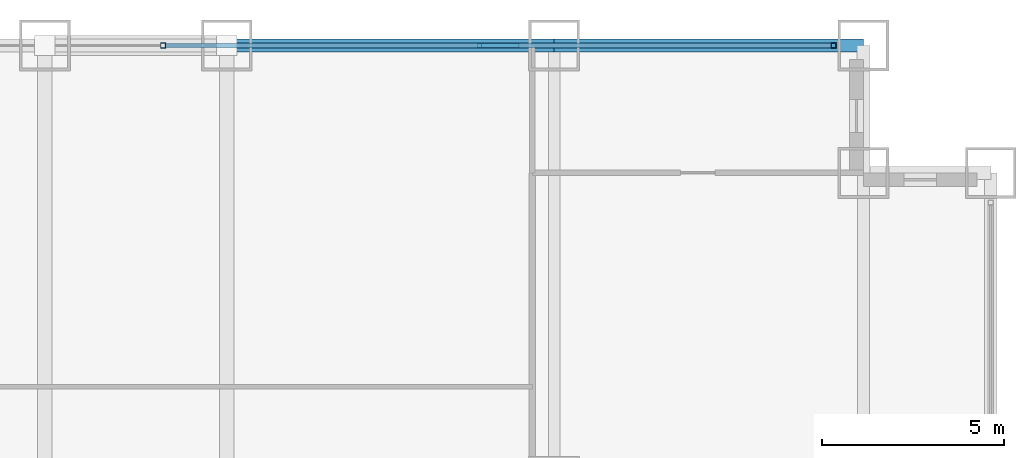
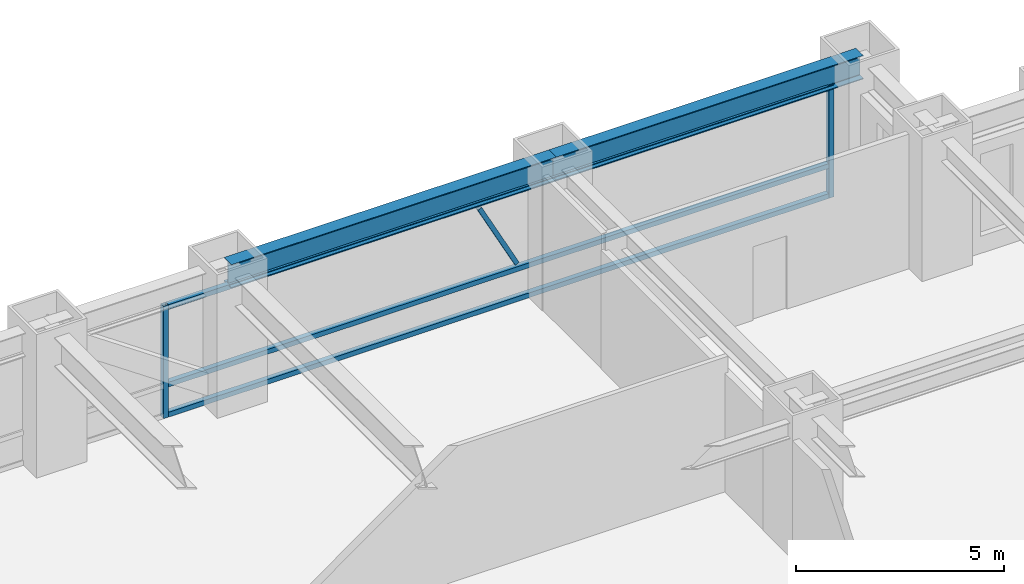
# One storey, part 21 of 27: 6 members, 2 beams, 1 element without a shape of its own.
"""IFC4 building model written with IfcOpenShell, lengths in metres."""

from ifc_helpers import new_model, si_unit, direction, frame, origin, origin_2d, place, context, subcontext, project, spatial, hollow_rectangle, i_section, extrude, source, transform, mapped, material, material_profile, profile_set, type_object, element, aggregate, save


model = new_model("IFC4")

# Units and contexts
model_context = context("Model", 3, precision=1e-05, world=origin(), true_north=direction((0.0, 1.0)))
body_context = subcontext(model_context, "Body", "Model", "MODEL_VIEW")
ifc_project = project(units=[si_unit("LENGTHUNIT", "METRE"), si_unit("AREAUNIT", "SQUARE_METRE"), si_unit("VOLUMEUNIT", "CUBIC_METRE"), si_unit("PLANEANGLEUNIT", "RADIAN"), si_unit("MASSUNIT", "GRAM", prefix="KILO")], contexts=[model_context])

# Site, building, storey
site_placement = place(None, origin())
site = spatial("IfcSite", under=ifc_project, at=site_placement, CompositionType="ELEMENT")
building_placement = place(site_placement, origin())
building = spatial("IfcBuilding", under=site, at=building_placement, Name="Khorayat Bourse Tower", CompositionType="ELEMENT")
storey_placement = place(building_placement, frame((0.0, 0.0, 45.199951171875)))
storey = spatial("IfcBuildingStorey", under=building, at=storey_placement, Name="L09", CompositionType="ELEMENT", Elevation=45.199951171875)

# Beams
ifc_material_1 = material(Name="Steel ASTM A992 Grade 50", Category="steel")
ifc_material_profile_1 = material_profile(ifc_material_1, i_section(OverallWidth=0.35498046875, OverallDepth=0.695068359375, WebThickness=0.015380859375, FlangeThickness=0.02490234375, FilletRadius=0.01806640625, at=origin_2d()), Name="W690X217")
ifc_profile_set_1 = profile_set([ifc_material_profile_1], Name="Steel ASTM A992 Grade 50")
beam_type = type_object("IfcBeamType", Name="BM-SPAN-690", PredefinedType="SPANDREL", material=ifc_profile_set_1)
shared_shape_1 = source(origin(), body_context, "Body", "SweptSolid", [
    extrude(i_section(OverallWidth=0.35498046875, OverallDepth=0.695068359375, WebThickness=0.015380859375, FlangeThickness=0.02490234375, FilletRadius=0.01806640625, at=origin_2d()), origin(), (0.0, 0.0, 1.0), 8.5),
])
beam_1_placement = place(storey_placement, frame((20.0, 32.0, 3.592529296875), z_axis=(1.0, 0.0, 0.0), x_axis=(0.0, 1.0, 0.0)))
element("IfcBeam", 1, at=beam_1_placement, inside=storey, type_object=beam_type, Name="L09 BM-SPAN-690 BM-L09-SPN-044", PredefinedType="SPANDREL", context=body_context, shape_type="MappedRepresentation", body=[
    mapped(shared_shape_1, transform((0.0, 0.0, 0.0), scale=1.0)),
])
shared_shape_2 = source(origin(), body_context, "Body", "SweptSolid", [
    extrude(i_section(OverallWidth=0.35498046875, OverallDepth=0.695068359375, WebThickness=0.015380859375, FlangeThickness=0.02490234375, FilletRadius=0.01806640625, at=origin_2d()), origin(), (0.0, 0.0, 1.0), 9.0),
])
beam_2_placement = place(storey_placement, frame((11.0, 32.0, 3.592529296875), z_axis=(1.0, 0.0, 0.0), x_axis=(0.0, 1.0, 0.0)))
element("IfcBeam", 2, at=beam_2_placement, inside=storey, type_object=beam_type, Name="L09 BM-SPAN-690 BM-L09-SPN-045", PredefinedType="SPANDREL", context=body_context, shape_type="MappedRepresentation", body=[
    mapped(shared_shape_2, transform((0.0, 0.0, 0.0), scale=1.0)),
])

# Curtain wall, members
ifc_material_2 = material(Name="Aluminium EN AW-6063 T6", Category="aluminium")
curtain_wall_type = type_object("IfcCurtainWallType", Name="CW-SYS-02", PredefinedType="NOTDEFINED", material=ifc_material_2)
curtain_wall_placement = place(storey_placement, origin())
curtain_wall = element("IfcCurtainWall", 3, at=curtain_wall_placement, inside=storey, type_object=curtain_wall_type, Name="L09 Curtain Wall CW-L09-N1", PredefinedType="NOTDEFINED")
ifc_material_profile_2 = material_profile(ifc_material_2, hollow_rectangle(XDim=0.139892578125, YDim=0.139892578125, WallThickness=0.006103515625, at=origin_2d()), Name="ALU 140x140x6")
ifc_profile_set_2 = profile_set([ifc_material_profile_2], Name="Aluminium EN AW-6063 T6")
member_type_1 = type_object("IfcMemberType", Name="CWT-HORZ-140", PredefinedType="USERDEFINED", material=ifc_profile_set_2)
shared_shape_3 = source(origin(), body_context, "Body", "SweptSolid", [
    extrude(hollow_rectangle(XDim=0.139892578125, YDim=0.139892578125, WallThickness=0.006103515625, at=origin_2d()), origin(), (0.0, 0.0, 1.0), 18.2900390625),
])
member_1_placement = place(storey_placement, frame((9.320068359375, 32.0, 0.070068359375), z_axis=(1.0, 0.0, 0.0), x_axis=(0.0, 1.0, 0.0)))
member_1 = element("IfcMember", 4, at=member_1_placement, type_object=member_type_1, Name="CW-L09-N1 Horizontal Transom 3-1", ObjectType="TRANSOM", PredefinedType="USERDEFINED", context=body_context, shape_type="MappedRepresentation", body=[
    mapped(shared_shape_3, transform((0.0, 0.0, 0.0), scale=1.0)),
])
member_2_placement = place(storey_placement, frame((9.320068359375, 32.0, 0.949951171875), z_axis=(1.0, 0.0, 0.0), x_axis=(0.0, 1.0, 0.0)))
member_2 = element("IfcMember", 5, at=member_2_placement, type_object=member_type_1, Name="CW-L09-N1 Horizontal Transom 3-2", ObjectType="TRANSOM", PredefinedType="USERDEFINED", context=body_context, shape_type="MappedRepresentation", body=[
    mapped(shared_shape_3, transform((0.0, 0.0, 0.0), scale=1.0)),
])
member_3_placement = place(storey_placement, frame((9.320068359375, 32.0, 3.219970703125), z_axis=(1.0, 0.0, 0.0), x_axis=(0.0, 1.0, 0.0)))
member_3 = element("IfcMember", 6, at=member_3_placement, type_object=member_type_1, Name="CW-L09-N1 Horizontal Transom 3-3", ObjectType="TRANSOM", PredefinedType="USERDEFINED", context=body_context, shape_type="MappedRepresentation", body=[
    mapped(shared_shape_3, transform((0.0, 0.0, 0.0), scale=1.0)),
])
ifc_material_profile_3 = material_profile(ifc_material_2, hollow_rectangle(XDim=0.1201171875, YDim=0.1201171875, WallThickness=0.0048828125, at=origin_2d()), Name="ALU 120x120x5")
ifc_profile_set_3 = profile_set([ifc_material_profile_3], Name="Aluminium EN AW-6063 T6")
member_type_2 = type_object("IfcMemberType", Name="CWM-DIAG-120", PredefinedType="MULLION", material=ifc_profile_set_3)
shared_shape_4 = source(origin(), body_context, "Body", "SweptSolid", [
    extrude(hollow_rectangle(XDim=0.1201171875, YDim=0.1201171875, WallThickness=0.0048828125, at=origin_2d()), origin(), (0.0, 0.0, 1.0), 2.22607421875),
])
member_4_placement = place(storey_placement, frame((18.9833984375, 32.0, 1.10009765625), z_axis=(-0.465759992596, 0.0, 0.884911085532), x_axis=(0.0, -1.0, 0.0)))
member_4 = element("IfcMember", 7, at=member_4_placement, type_object=member_type_2, Name="CW-L09-N1 Faceted Diagonal Mullion 3", PredefinedType="MULLION", context=body_context, shape_type="MappedRepresentation", body=[
    mapped(shared_shape_4, transform((0.0, 0.0, 0.0), scale=1.0)),
])
ifc_material_profile_4 = material_profile(ifc_material_2, hollow_rectangle(XDim=0.139892578125, YDim=0.139892578125, WallThickness=0.006103515625, at=origin_2d()), Name="ALU 140x140x6")
ifc_profile_set_4 = profile_set([ifc_material_profile_4], Name="Aluminium EN AW-6063 T6")
member_type_3 = type_object("IfcMemberType", Name="CWM-VERT-140", PredefinedType="MULLION", material=ifc_profile_set_4)
shared_shape_5 = source(origin(), body_context, "Body", "SweptSolid", [
    extrude(hollow_rectangle(XDim=0.139892578125, YDim=0.139892578125, WallThickness=0.006103515625, at=origin_2d()), origin(), (0.0, 0.0, 1.0), 3.2900390625),
])
member_5_placement = place(storey_placement, frame((9.25, 32.0, 0.0), z_axis=(0.0, 0.0, 1.0), x_axis=(0.0, 1.0, 0.0)))
member_5 = element("IfcMember", 8, at=member_5_placement, type_object=member_type_3, Name="CW-L09-N1 Vertical Mullion 3", PredefinedType="MULLION", context=body_context, shape_type="MappedRepresentation", body=[
    mapped(shared_shape_5, transform((0.0, 0.0, 0.0), scale=1.0)),
])
member_6_placement = place(storey_placement, frame((27.679931640625, 32.0, 0.0), z_axis=(0.0, 0.0, 1.0), x_axis=(0.0, 1.0, 0.0)))
member_6 = element("IfcMember", 9, at=member_6_placement, type_object=member_type_3, Name="CW-L09-N1 Vertical Mullion 4", PredefinedType="MULLION", context=body_context, shape_type="MappedRepresentation", body=[
    mapped(shared_shape_5, transform((0.0, 0.0, 0.0), scale=1.0)),
])
aggregate(curtain_wall, [member_5, member_6, member_1, member_2, member_3, member_4])

save(model, "model.ifc")
